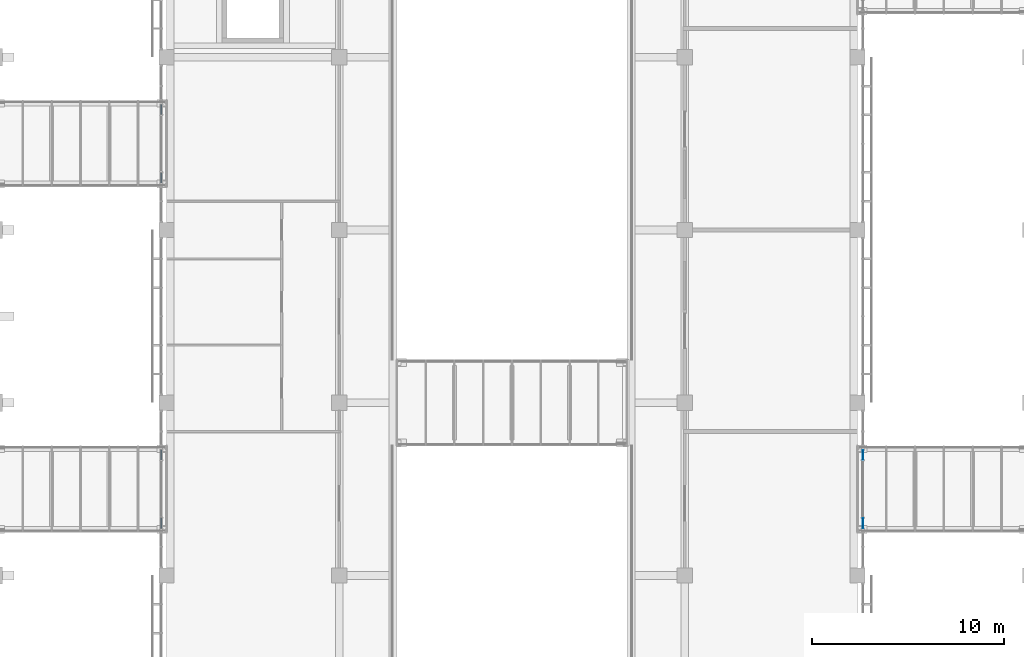
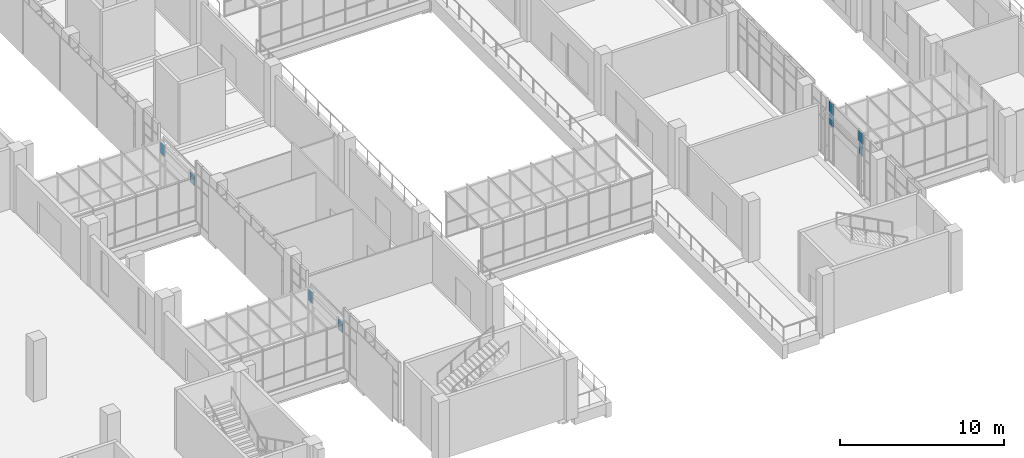
# One storey, part 55 of 88: 8 plates, 3 elements without a shape of their own.
"""IFC4 building model written with IfcOpenShell, lengths in metres."""

from ifc_helpers import new_model, si_unit, direction, frame, origin, origin_2d, place, context, subcontext, project, spatial, rectangle, extrude, material, layer, layer_set, type_object, element, aggregate, save


model = new_model("IFC4")

# Units and contexts
model_context = context("Model", 3, precision=1e-05, world=origin(), true_north=direction((0.0, 1.0)))
body_context = subcontext(model_context, "Body", "Model", "MODEL_VIEW")
ifc_project = project(units=[si_unit("LENGTHUNIT", "METRE"), si_unit("AREAUNIT", "SQUARE_METRE"), si_unit("VOLUMEUNIT", "CUBIC_METRE"), si_unit("PLANEANGLEUNIT", "RADIAN"), si_unit("MASSUNIT", "GRAM", prefix="KILO")], contexts=[model_context])

# Site, building, storey
site_placement = place(None, origin())
site = spatial("IfcSite", under=ifc_project, at=site_placement, CompositionType="ELEMENT")
building_placement = place(site_placement, origin())
building = spatial("IfcBuilding", under=site, at=building_placement, Name="Guidao Yard Department Store", CompositionType="ELEMENT")
storey_placement = place(building_placement, frame((0.0, 0.0, 6.0)))
storey = spatial("IfcBuildingStorey", under=building, at=storey_placement, Name="L01", CompositionType="ELEMENT", Elevation=6.0)

# Curtain wall, plates
ifc_material_1 = material(Name="Aluminium and glass", Category="aluminium")
ifc_layer_1 = layer(ifc_material_1, 0.159912109375)
ifc_layer_set_1 = layer_set([ifc_layer_1], Name="Shopfront curtain wall CW1 1500 module")
curtain_wall_type = type_object("IfcCurtainWallType", Name="Shopfront curtain wall CW1 1500 module", PredefinedType="NOTDEFINED", material=ifc_layer_set_1)
curtain_wall_1_placement = place(storey_placement, origin())
curtain_wall_1 = element("IfcCurtainWall", 1, at=curtain_wall_1_placement, inside=storey, type_object=curtain_wall_type, Name="Arcade shop front", PredefinedType="NOTDEFINED")
ifc_material_2 = material(Name="Aluminium 6063-T5 faced insulated spandrel", Category="aluminium")
ifc_layer_2 = layer(ifc_material_2, 0.06005859375)
ifc_layer_set_2 = layer_set([ifc_layer_2], Name="Spandrel panel SP1 insulated opaque")
plate_type_1 = type_object("IfcPlateType", Name="Spandrel panel SP1 insulated opaque", PredefinedType="CURTAIN_PANEL", material=ifc_layer_set_2)
plate_1_placement = place(storey_placement, frame((71.719970703125, 56.719970703125, 2.47998046875), z_axis=(0.0, 0.0, 1.0), x_axis=(0.0, 1.0, 0.0)))
plate_1 = element("IfcPlate", 2, at=plate_1_placement, type_object=plate_type_1, Name="CW-AS-L01-03 panel 1.2", PredefinedType="CURTAIN_PANEL", context=body_context, shape_type="SweptSolid", body=[
    extrude(rectangle(XDim=0.5, YDim=0.06005859375, at=origin_2d()), origin(), (0.0, 0.0, 1.0), 0.81005859375),
])
plate_2_placement = place(storey_placement, frame((71.719970703125, 60.280029296875, 2.47998046875), z_axis=(0.0, 0.0, 1.0), x_axis=(0.0, 1.0, 0.0)))
plate_2 = element("IfcPlate", 3, at=plate_2_placement, type_object=plate_type_1, Name="CW-AS-L01-03 panel 3.2", PredefinedType="CURTAIN_PANEL", context=body_context, shape_type="SweptSolid", body=[
    extrude(rectangle(XDim=0.5, YDim=0.06005859375, at=origin_2d()), origin(), (0.0, 0.0, 1.0), 0.81005859375),
])
aggregate(curtain_wall_1, [plate_1, plate_2])

curtain_wall_2_placement = place(storey_placement, origin())
curtain_wall_2 = element("IfcCurtainWall", 4, at=curtain_wall_2_placement, inside=storey, type_object=curtain_wall_type, Name="Arcade shop front", PredefinedType="NOTDEFINED")
plate_3_placement = place(storey_placement, frame((71.719970703125, 74.719970703125, 2.47998046875), z_axis=(0.0, 0.0, 1.0), x_axis=(0.0, 1.0, 0.0)))
plate_3 = element("IfcPlate", 5, at=plate_3_placement, type_object=plate_type_1, Name="CW-AS-L01-07 panel 1.2", PredefinedType="CURTAIN_PANEL", context=body_context, shape_type="SweptSolid", body=[
    extrude(rectangle(XDim=0.5, YDim=0.06005859375, at=origin_2d()), origin(), (0.0, 0.0, 1.0), 0.81005859375),
])
plate_4_placement = place(storey_placement, frame((71.719970703125, 78.280029296875, 2.47998046875), z_axis=(0.0, 0.0, 1.0), x_axis=(0.0, 1.0, 0.0)))
plate_4 = element("IfcPlate", 6, at=plate_4_placement, type_object=plate_type_1, Name="CW-AS-L01-07 panel 3.2", PredefinedType="CURTAIN_PANEL", context=body_context, shape_type="SweptSolid", body=[
    extrude(rectangle(XDim=0.5, YDim=0.06005859375, at=origin_2d()), origin(), (0.0, 0.0, 1.0), 0.81005859375),
])
aggregate(curtain_wall_2, [plate_3, plate_4])

curtain_wall_3_placement = place(storey_placement, origin())
curtain_wall_3 = element("IfcCurtainWall", 7, at=curtain_wall_3_placement, inside=storey, type_object=curtain_wall_type, Name="Arcade shop front", PredefinedType="NOTDEFINED")
plate_5_placement = place(storey_placement, frame((108.280029296875, 56.719970703125, 3.6298828125), z_axis=(0.0, 0.0, 1.0), x_axis=(0.0, -1.0, 0.0)))
plate_5 = element("IfcPlate", 8, at=plate_5_placement, type_object=plate_type_1, Name="CW-AS-L01-14 panel 1.3", PredefinedType="CURTAIN_PANEL", context=body_context, shape_type="SweptSolid", body=[
    extrude(rectangle(XDim=0.5, YDim=0.06005859375, at=origin_2d()), origin(), (0.0, 0.0, 1.0), 0.81005859375),
])
plate_6_placement = place(storey_placement, frame((108.280029296875, 60.280029296875, 3.6298828125), z_axis=(0.0, 0.0, 1.0), x_axis=(0.0, -1.0, 0.0)))
plate_6 = element("IfcPlate", 9, at=plate_6_placement, type_object=plate_type_1, Name="CW-AS-L01-14 panel 3.3", PredefinedType="CURTAIN_PANEL", context=body_context, shape_type="SweptSolid", body=[
    extrude(rectangle(XDim=0.5, YDim=0.06005859375, at=origin_2d()), origin(), (0.0, 0.0, 1.0), 0.81005859375),
])
ifc_material_3 = material(Name="Laminated heat-soaked tempered glass", Category="glass")
ifc_layer_3 = layer(ifc_material_3, 0.017578125)
ifc_layer_set_3 = layer_set([ifc_layer_3], Name="Vision glass VG1 laminated heat-soaked tempered 8+8")
plate_type_2 = type_object("IfcPlateType", Name="Vision glass VG1 laminated heat-soaked tempered 8+8", PredefinedType="CURTAIN_PANEL", material=ifc_layer_set_3)
plate_7_placement = place(storey_placement, frame((108.280029296875, 56.719970703125, 2.72998046875), z_axis=(0.0, 0.0, 1.0), x_axis=(0.0, -1.0, 0.0)))
plate_7 = element("IfcPlate", 10, at=plate_7_placement, type_object=plate_type_2, Name="CW-AS-L01-14 panel 1.2", PredefinedType="CURTAIN_PANEL", context=body_context, shape_type="SweptSolid", body=[
    extrude(rectangle(XDim=0.5, YDim=0.017578125, at=origin_2d()), origin(), (0.0, 0.0, 1.0), 0.840087890625),
])
plate_8_placement = place(storey_placement, frame((108.280029296875, 60.280029296875, 2.72998046875), z_axis=(0.0, 0.0, 1.0), x_axis=(0.0, -1.0, 0.0)))
plate_8 = element("IfcPlate", 11, at=plate_8_placement, type_object=plate_type_2, Name="CW-AS-L01-14 panel 3.2", PredefinedType="CURTAIN_PANEL", context=body_context, shape_type="SweptSolid", body=[
    extrude(rectangle(XDim=0.5, YDim=0.017578125, at=origin_2d()), origin(), (0.0, 0.0, 1.0), 0.840087890625),
])
aggregate(curtain_wall_3, [plate_7, plate_5, plate_8, plate_6])

save(model, "model.ifc")
